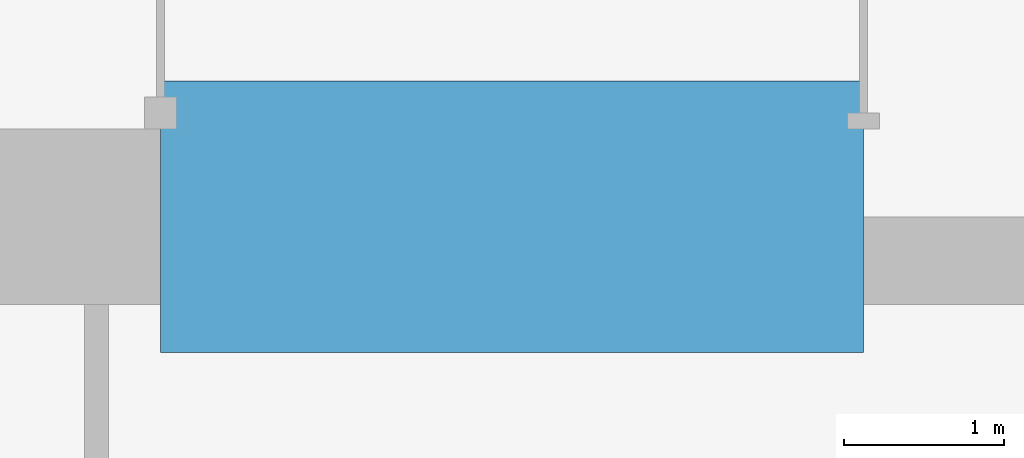
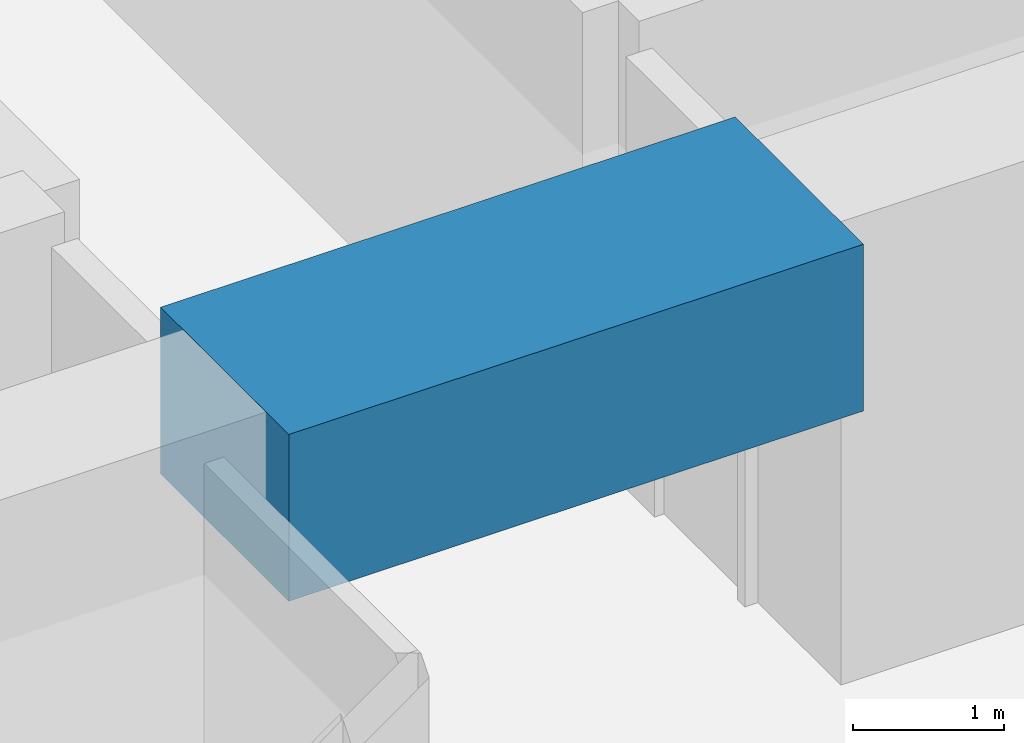
# One storey, part 13 of 44: 1 beam.
"""IFC4 building model written with IfcOpenShell, lengths in metres."""

import ifcopenshell
import ifcopenshell.guid

model = None  # the IFC model being written
_history = None  # IfcOwnerHistory: only IFC2X3 demands one
_inside = {}  # id of a spatial element -> (the spatial element, [elements in it])
_under = {}  # id of a project, library or spatial element -> (it, [spatial elements below it])
_declared = {}  # id of a project -> (the project, [libraries it declares])
_typed = {}  # id of a type object -> (the type object, [elements of that type])
_made_of = {}  # id of a material, layer set ... -> (it, [elements and type objects made of it])


def new_model(schema):
    """Start an empty IFC model of exactly this schema.

    Asked for "IFC4X3", IfcOpenShell would pick the latest addendum, in which some entities
    have other attributes; the version numbers below select the first issue.
    IFC2X3 requires an IfcOwnerHistory on every rooted entity: one is made here for all.
    """
    global model, _history
    if schema == "IFC4X3":
        model = ifcopenshell.file(schema_version=(4, 3, 0, 0))
    else:
        model = ifcopenshell.file(schema=schema)
    _inside.clear()
    _under.clear()
    _declared.clear()
    _typed.clear()
    _made_of.clear()
    _history = None
    if model.schema == "IFC2X3":
        org = make("IfcOrganization", Name="unknown")
        user = make(
            "IfcPersonAndOrganization",
            ThePerson=make("IfcPerson", FamilyName="unknown"),
            TheOrganization=org,
        )
        app = make(
            "IfcApplication",
            ApplicationDeveloper=org,
            Version="unknown",
            ApplicationFullName="unknown",
            ApplicationIdentifier="unknown",
        )
        _history = make(
            "IfcOwnerHistory",
            OwningUser=user,
            OwningApplication=app,
            ChangeAction="ADDED",
            CreationDate=0,
        )
    return model


def make(cls, **values):
    """One entity of the class cls with the attributes given. An attribute that is None is left unset."""
    return model.create_entity(
        cls, **{name: value for name, value in values.items() if value is not None}
    )


def rooted(cls, **values):
    """An entity with a GlobalId (a new one), such as an element, a storey or a relation."""
    return make(cls, GlobalId=ifcopenshell.guid.new(), OwnerHistory=_history, **values)


def si_unit(unit_type, name, prefix=None):
    """IfcSIUnit, for example si_unit("LENGTHUNIT", "METRE", prefix="MILLI")."""
    return make("IfcSIUnit", UnitType=unit_type, Prefix=prefix, Name=name)


def assignment(units):
    """IfcUnitAssignment: the units of a project."""
    return None if units is None else make("IfcUnitAssignment", Units=units)


def point(xyz):
    """IfcCartesianPoint."""
    return None if xyz is None else make("IfcCartesianPoint", Coordinates=xyz)


def direction(xyz):
    """IfcDirection."""
    return None if xyz is None else make("IfcDirection", DirectionRatios=xyz)


def frame(location, z_axis=None, x_axis=None):
    """IfcAxis2Placement3D, a coordinate frame: its origin and axes. An axis left out is left unset."""
    return make(
        "IfcAxis2Placement3D",
        Location=point(location),
        Axis=direction(z_axis),
        RefDirection=direction(x_axis),
    )


def frame_2d(location, x_axis=None):
    """IfcAxis2Placement2D, a coordinate frame in the plane: its origin and x axis."""
    return make(
        "IfcAxis2Placement2D", Location=point(location), RefDirection=direction(x_axis)
    )


def origin():
    """The frame at (0, 0, 0) with its axes left unset."""
    return frame((0.0, 0.0, 0.0))


def origin_2d():
    """The frame at (0, 0) in the plane with its x axis left unset."""
    return frame_2d((0.0, 0.0))


def place(relative_to, where):
    """IfcLocalPlacement: puts the frame where relative to a parent placement (None: the world)."""
    return make(
        "IfcLocalPlacement", PlacementRelTo=relative_to, RelativePlacement=where
    )


def context(
    kind, dimensions, precision=None, world=None, true_north=None, identifier=None
):
    """IfcGeometricRepresentationContext, for example the 3D "Model" context."""
    return make(
        "IfcGeometricRepresentationContext",
        ContextIdentifier=identifier,
        ContextType=kind,
        CoordinateSpaceDimension=dimensions,
        Precision=precision,
        WorldCoordinateSystem=world,
        TrueNorth=true_north,
    )


def subcontext(parent, identifier, kind, view, scale=None):
    """IfcGeometricRepresentationSubContext, for example "Body" below "Model"."""
    return make(
        "IfcGeometricRepresentationSubContext",
        ContextIdentifier=identifier,
        ContextType=kind,
        ParentContext=parent,
        TargetScale=scale,
        TargetView=view,
    )


def project(units=None, contexts=None):
    """IfcProject with its units and contexts."""
    return rooted(
        "IfcProject",
        Name="project",
        RepresentationContexts=contexts,
        UnitsInContext=assignment(units),
    )


def spatial(cls, under=None, at=None, **own):
    """A site, building, storey or space (cls), placed at a placement, below another one or the project."""
    s = rooted(cls, ObjectPlacement=at, **own)
    if under is not None:
        _under.setdefault(under.id(), (under, []))[1].append(s)
    return s


def profile(cls, at=None, kind="AREA", **sizes):
    """A parametric profile (cls). Its sizes go by their IFC names, for example OverallWidth=200.0."""
    return make(cls, ProfileType=kind, Position=at, **sizes)


def rectangle(**sizes):
    """IfcRectangleProfileDef."""
    return profile("IfcRectangleProfileDef", **sizes)


def extrude(swept, where, along, depth):
    """IfcExtrudedAreaSolid: the profile swept, set in the frame where, extruded along a direction by depth."""
    return make(
        "IfcExtrudedAreaSolid",
        SweptArea=swept,
        Position=where,
        ExtrudedDirection=direction(along),
        Depth=depth,
    )


def shape(context_of_items, identifier, shape_type, items):
    """IfcShapeRepresentation: the items that make up one representation, for example the "Body"."""
    return make(
        "IfcShapeRepresentation",
        ContextOfItems=context_of_items,
        RepresentationIdentifier=identifier,
        RepresentationType=shape_type,
        Items=items,
    )


def material(Name=None, Category=None):
    """IfcMaterial."""
    return make("IfcMaterial", Name=Name, Category=Category)


def material_profile(
    of_material, cross_section, Name=None, Category=None, Priority=None
):
    """IfcMaterialProfile: a cross section and its material."""
    return make(
        "IfcMaterialProfile",
        Name=Name,
        Material=of_material,
        Profile=cross_section,
        Priority=Priority,
        Category=Category,
    )


def profile_set(profiles, Name=None, composite=None):
    """IfcMaterialProfileSet."""
    return make(
        "IfcMaterialProfileSet",
        Name=Name,
        MaterialProfiles=profiles,
        CompositeProfile=composite,
    )


def made_of(thing, what):
    """Note that an element or type object is made of a material, layer set ...; save() writes the relation."""
    if what is not None:
        _made_of.setdefault(what.id(), (what, []))[1].append(thing)
    return thing


def type_object(cls, material=None, **own):
    """A type object (cls), such as IfcWallType, which elements share."""
    return made_of(rooted(cls, **own), material)


def element(
    cls,
    number,
    at=None,
    inside=None,
    cuts=None,
    type_object=None,
    material=None,
    context=None,
    identifier="Body",
    shape_type=None,
    held_by="IfcProductDefinitionShape",
    body=None,
    shapes=None,
    **own,
):
    """One element of the class cls, such as IfcWall. Its Tag is "e" and its number.

    at: its placement. inside: the storey or other place that contains it. cuts: it is an
    opening in that element (IfcRelVoidsElement). A single representation is given by context,
    identifier, shape_type and body (its items); several are given by shapes. held_by: the class
    of the entity that holds the representations. save() writes the other relations.
    """
    e = rooted(cls, Tag="e%d" % number, ObjectPlacement=at, **own)
    if body is not None:
        shapes = [shape(context, identifier, shape_type, body)]
    if shapes is not None:
        e.Representation = make(held_by, Representations=shapes)
    if inside is not None:
        _inside.setdefault(inside.id(), (inside, []))[1].append(e)
    if cuts is not None:
        rooted(
            "IfcRelVoidsElement", RelatingBuildingElement=cuts, RelatedOpeningElement=e
        )
    if type_object is not None:
        _typed.setdefault(type_object.id(), (type_object, []))[1].append(e)
    return made_of(e, material)


def aggregate(whole, parts):
    """IfcRelAggregates: a whole, such as a stair, and the parts it consists of."""
    return rooted("IfcRelAggregates", RelatingObject=whole, RelatedObjects=parts)


def save(model, path):
    """Write the relations noted so far, then the file.

    IfcRelAggregates (storeys below a building ...), IfcRelContainedInSpatialStructure (elements
    in a storey), IfcRelDefinesByType, IfcRelAssociatesMaterial and IfcRelDeclares: one each for
    every whole, place, type object, material and project.
    """
    for whole, parts in _under.values():
        aggregate(whole, parts)
    for where, things in _inside.values():
        rooted(
            "IfcRelContainedInSpatialStructure",
            RelatedElements=things,
            RelatingStructure=where,
        )
    for kind, things in _typed.values():
        rooted("IfcRelDefinesByType", RelatedObjects=things, RelatingType=kind)
    for what, things in _made_of.values():
        rooted("IfcRelAssociatesMaterial", RelatedObjects=things, RelatingMaterial=what)
    for by, libraries in _declared.values():
        rooted("IfcRelDeclares", RelatingContext=by, RelatedDefinitions=libraries)
    model.write(path)


model = new_model("IFC4")

# Units and contexts
model_context = context("Model", 3, precision=1e-05, world=origin(), true_north=direction((0.0, 1.0)))
body_context = subcontext(model_context, "Body", "Model", "MODEL_VIEW")
ifc_project = project(units=[si_unit("LENGTHUNIT", "METRE"), si_unit("AREAUNIT", "SQUARE_METRE"), si_unit("VOLUMEUNIT", "CUBIC_METRE"), si_unit("PLANEANGLEUNIT", "RADIAN"), si_unit("MASSUNIT", "GRAM", prefix="KILO")], contexts=[model_context])

# Site, building, storey
site_placement = place(None, origin())
site = spatial("IfcSite", under=ifc_project, at=site_placement, CompositionType="ELEMENT")
building_placement = place(site_placement, origin())
building = spatial("IfcBuilding", under=site, at=building_placement, Name="Rekha Terrace Tower", CompositionType="ELEMENT")
storey_placement = place(building_placement, frame((0.0, 0.0, 51.64990234375)))
storey = spatial("IfcBuildingStorey", under=building, at=storey_placement, Name="L12", CompositionType="ELEMENT", Elevation=51.64990234375)

# Beam
ifc_material = material(Name="Concrete M70", Category="concrete")
ifc_material_profile = material_profile(ifc_material, rectangle(XDim=1.699951171875, YDim=1.35009765625, at=origin_2d()), Name="RC 1700x1350")
ifc_profile_set = profile_set([ifc_material_profile], Name="Concrete M70")
beam_type = type_object("IfcBeamType", Name="LB1A 1700x1350 diagonally reinforced coupling beam", PredefinedType="LINTEL", material=ifc_profile_set)
beam_placement = place(storey_placement, frame((35.60009765625, 21.0, 3.0751953125), z_axis=(1.0, 0.0, 0.0), x_axis=(0.0, 1.0, 0.0)))
element("IfcBeam", 1, at=beam_placement, inside=storey, type_object=beam_type, Name="Coupling beam LB1A S L12", PredefinedType="LINTEL", context=body_context, shape_type="SweptSolid", body=[
    extrude(rectangle(XDim=1.699951171875, YDim=1.35009765625, at=origin_2d()), origin(), (0.0, 0.0, 1.0), 4.39990234375),
])

save(model, "model.ifc")
